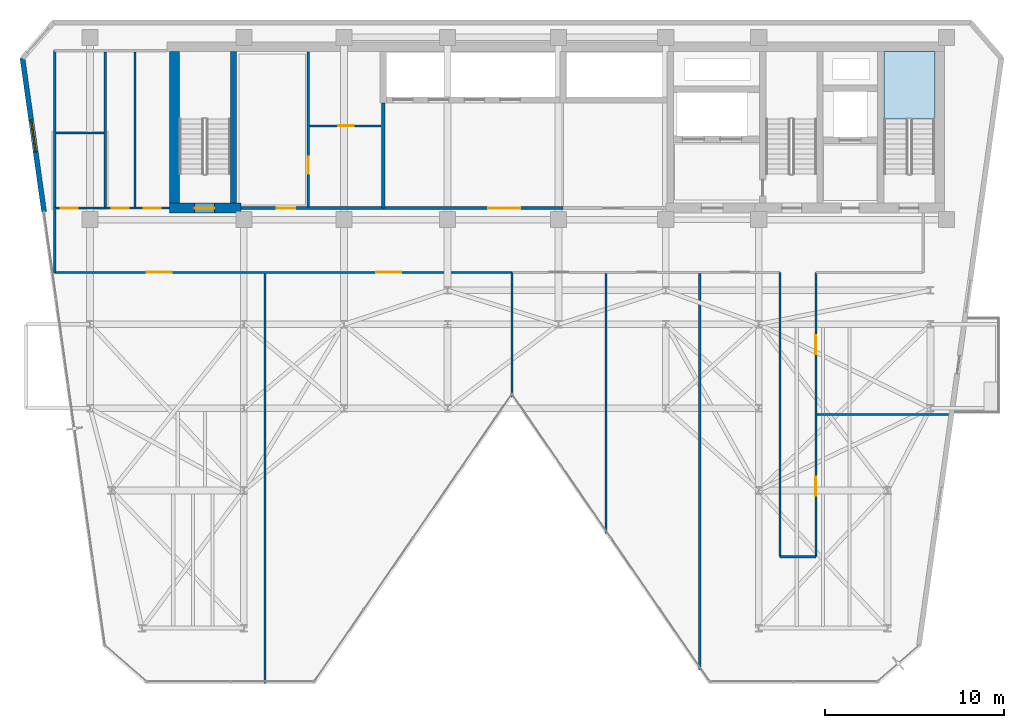
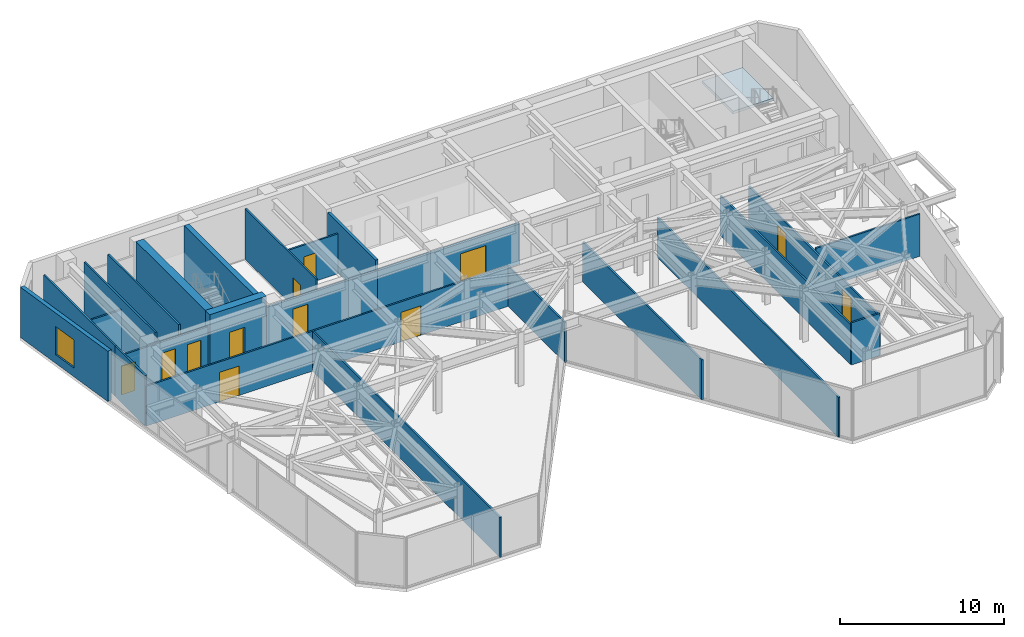
# One storey, part 22 of 27: 24 walls, 12 doors, 1 slab, 1 window, 13 openings, 1 element without a shape of its own.
"""IFC4 building model written with IfcOpenShell, lengths in metres."""

from ifc_helpers import new_model, si_unit, direction, frame, frame_2d, origin, place, context, subcontext, project, spatial, polyline, rectangle, outline, extrude, material, layer, layer_set, type_object, element, fill, aggregate, save


model = new_model("IFC4")

# Units and contexts
model_context = context("Model", 3, precision=1e-05, world=origin(), true_north=direction((0.0, 1.0)))
body_context = subcontext(model_context, "Body", "Model", "MODEL_VIEW")
ifc_project = project(units=[si_unit("LENGTHUNIT", "METRE"), si_unit("AREAUNIT", "SQUARE_METRE"), si_unit("VOLUMEUNIT", "CUBIC_METRE"), si_unit("PLANEANGLEUNIT", "RADIAN"), si_unit("MASSUNIT", "GRAM", prefix="KILO")], contexts=[model_context])

# Site, building, storey
site_placement = place(None, origin())
site = spatial("IfcSite", under=ifc_project, at=site_placement, CompositionType="ELEMENT")
building_placement = place(site_placement, origin())
building = spatial("IfcBuilding", under=site, at=building_placement, Name="Kravanh Interchange Tower", CompositionType="ELEMENT")
storey_placement = place(building_placement, frame((0.0, 0.0, 196.5)))
storey = spatial("IfcBuildingStorey", under=building, at=storey_placement, Name="L47", CompositionType="ELEMENT", Elevation=196.5)

# Stair, slab
ifc_material_1 = material(Name="Concrete C50/60", Category="concrete")
stair_type = type_object("IfcStairType", Name="Core Fire Exit Dogleg Stair Concrete C50/60", PredefinedType="HALF_TURN_STAIR", material=ifc_material_1)
stair_placement = place(storey_placement, origin())
stair = element("IfcStair", 1, at=stair_placement, inside=storey, type_object=stair_type, Name="L47 Exit Stair ST1", PredefinedType="HALF_TURN_STAIR")
ifc_material_2 = material(Name="Concrete C50/60", Category="concrete")
ifc_layer_1 = layer(ifc_material_2, 0.199951171875)
ifc_layer_set_1 = layer_set([ifc_layer_1], Name="Concrete C50/60 Stair Half-Landing Slab 200mm")
slab_type = type_object("IfcSlabType", Name="Concrete C50/60 Stair Half-Landing Slab 200mm", PredefinedType="LANDING", material=ifc_layer_set_1)
slab_placement = place(storey_placement, frame((0.0, 0.0, 1.800048828125)))
slab = element("IfcSlab", 2, at=slab_placement, type_object=slab_type, Name="ST1 landing 1", PredefinedType="LANDING", context=body_context, shape_type="SweptSolid", body=[
    extrude(outline(polyline([(65.85009765625, 42.97998046875), (65.85009765625, 46.75), (63.0, 46.75), (63.0, 42.97998046875), (65.85009765625, 42.97998046875)])), origin(), (0.0, 0.0, 1.0), 0.199951171875),
])
aggregate(stair, [slab])

# Wall, opening, door
ifc_material_3 = material(Name="Double Acoustic Gypsum Board and Mineral Wool")
ifc_layer_2 = layer(ifc_material_3, 0.1201171875)
ifc_layer_set_2 = layer_set([ifc_layer_2], Name="Acoustic Office Drywall Partition 120mm")
wall_type_1 = type_object("IfcWallType", Name="Acoustic Office Drywall Partition 120mm", PredefinedType="PARTITIONING", material=ifc_layer_set_2)
wall_1_placement = place(storey_placement, frame((30.800048828125, 38.068115234375, 0.0), z_axis=(0.0, 0.0, 1.0), x_axis=(0.0, 1.0, 0.0)))
wall_1 = element("IfcWall", 3, at=wall_1_placement, inside=storey, type_object=wall_type_1, Name="L47 Interior Partition 4", PredefinedType="PARTITIONING", context=body_context, shape_type="SweptSolid", body=[
    extrude(rectangle(XDim=8.673828125, YDim=0.1201171875, at=frame_2d((4.3369140625, 0.0))), origin(), (0.0, 0.0, 1.0), 3.7548828125),
])
opening_1_placement = place(wall_1_placement, frame((1.865234375, 0.0, 0.0)))
opening_1 = element("IfcOpeningElement", 4, at=opening_1_placement, cuts=wall_1, Name="Opening D-95", PredefinedType="OPENING", context=body_context, shape_type="SweptSolid", body=[
    extrude(rectangle(XDim=0.949951171875, YDim=2.14990234375, at=frame_2d((0.47509765625, 1.074951171875))), frame((0.0, 0.070068359375, 0.0), z_axis=(0.0, -1.0, 0.0), x_axis=(1.0, 0.0, 0.0)), (0.0, 0.0, 1.0), 0.14013671875),
])
ifc_material_4 = material(Name="Laminate Solid-Core Timber", Category="wood")
door_type_1 = type_object("IfcDoorType", Name="Accessible Restroom Door 950x2150", OperationType="NOTDEFINED", PredefinedType="DOOR", material=ifc_material_4)
door_1_placement = place(opening_1_placement, origin())
door_1 = element("IfcDoor", 5, at=door_1_placement, inside=storey, type_object=door_type_1, Name="L47 Copy Hub Inner Door", OperationType="SINGLE_SWING_RIGHT", OverallHeight=2.14990234375, OverallWidth=0.949951171875, PredefinedType="DOOR", context=body_context, shape_type="SweptSolid", body=[
    extrude(rectangle(XDim=0.949951171875, YDim=2.14990234375, at=frame_2d((0.47509765625, 1.074951171875))), frame((0.0, 0.02490234375, 0.0), z_axis=(0.0, -1.0, 0.0), x_axis=(1.0, 0.0, 0.0)), (0.0, 0.0, 1.0), 0.050048828125),
])
fill(opening_1, door_1)

wall_2_placement = place(storey_placement, frame((30.867919921875, 42.60009765625, 0.0), z_axis=(0.0, 0.0, 1.0), x_axis=(1.0, 0.0, 0.0)))
wall_2 = element("IfcWall", 6, at=wall_2_placement, inside=storey, type_object=wall_type_1, Name="L47 Interior Partition 5", PredefinedType="PARTITIONING", context=body_context, shape_type="SweptSolid", body=[
    extrude(rectangle(XDim=4.01416015625, YDim=0.1201171875, at=frame_2d((2.007080078125, 0.0))), origin(), (0.0, 0.0, 1.0), 2.98193359375),
])
opening_2_placement = place(wall_2_placement, frame((1.622314453125, 0.0, 0.0)))
opening_2 = element("IfcOpeningElement", 7, at=opening_2_placement, cuts=wall_2, Name="Opening D-85", PredefinedType="OPENING", context=body_context, shape_type="SweptSolid", body=[
    extrude(rectangle(XDim=0.85009765625, YDim=2.10009765625, at=frame_2d((0.425048828125, 1.050048828125))), frame((0.0, 0.070068359375, 0.0), z_axis=(0.0, -1.0, 0.0), x_axis=(1.0, 0.0, 0.0)), (0.0, 0.0, 1.0), 0.14013671875),
])
ifc_material_5 = material(Name="Engineered Teak Veneer Timber", Category="wood")
door_type_2 = type_object("IfcDoorType", Name="En-Suite Timber Door 850x2100", OperationType="NOTDEFINED", PredefinedType="DOOR", material=ifc_material_5)
door_2_placement = place(opening_2_placement, origin())
door_2 = element("IfcDoor", 8, at=door_2_placement, inside=storey, type_object=door_type_2, Name="L47 Records Store Inner Door", OperationType="SINGLE_SWING_LEFT", OverallHeight=2.10009765625, OverallWidth=0.85009765625, PredefinedType="DOOR", context=body_context, shape_type="SweptSolid", body=[
    extrude(rectangle(XDim=0.85009765625, YDim=2.10009765625, at=frame_2d((0.425048828125, 1.050048828125))), frame((0.0, 0.02490234375, 0.0), z_axis=(0.0, -1.0, 0.0), x_axis=(1.0, 0.0, 0.0)), (0.0, 0.0, 1.0), 0.050048828125),
])
fill(opening_2, door_2)

# Wall, openings, doors
wall_3_placement = place(storey_placement, frame((16.6201171875, 38.0, 0.0), z_axis=(0.0, 0.0, 1.0), x_axis=(1.0, 0.0, 0.0)))
wall_3 = element("IfcWall", 9, at=wall_3_placement, inside=storey, type_object=wall_type_1, Name="L47 Restroom Corridor Wall 7", PredefinedType="PARTITIONING", context=body_context, shape_type="SweptSolid", body=[
    extrude(rectangle(XDim=6.429931640625, YDim=0.1201171875, at=frame_2d((3.21484375, 0.0))), origin(), (0.0, 0.0, 1.0), 2.98193359375),
])
opening_3_placement = place(wall_3_placement, frame((0.348876953125, 0.0, 0.0)))
opening_3 = element("IfcOpeningElement", 10, at=opening_3_placement, cuts=wall_3, Name="Opening D-95", PredefinedType="OPENING", context=body_context, shape_type="SweptSolid", body=[
    extrude(rectangle(XDim=0.949951171875, YDim=2.14990234375, at=frame_2d((0.47509765625, 1.074951171875))), frame((0.0, 0.070068359375, 0.0), z_axis=(0.0, -1.0, 0.0), x_axis=(1.0, 0.0, 0.0)), (0.0, 0.0, 1.0), 0.14013671875),
])
opening_4_placement = place(wall_3_placement, frame((3.18505859375, 0.0, 0.0)))
opening_4 = element("IfcOpeningElement", 11, at=opening_4_placement, cuts=wall_3, Name="Opening D-95", PredefinedType="OPENING", context=body_context, shape_type="SweptSolid", body=[
    extrude(rectangle(XDim=0.949951171875, YDim=2.14990234375, at=frame_2d((0.47509765625, 1.074951171875))), frame((0.0, 0.070068359375, 0.0), z_axis=(0.0, -1.0, 0.0), x_axis=(1.0, 0.0, 0.0)), (0.0, 0.0, 1.0), 0.14013671875),
])
opening_5_placement = place(wall_3_placement, frame((4.97509765625, 0.0, 0.0)))
opening_5 = element("IfcOpeningElement", 12, at=opening_5_placement, cuts=wall_3, Name="Opening D-95", PredefinedType="OPENING", context=body_context, shape_type="SweptSolid", body=[
    extrude(rectangle(XDim=0.949951171875, YDim=2.14990234375, at=frame_2d((0.47509765625, 1.074951171875))), frame((0.0, 0.070068359375, 0.0), z_axis=(0.0, -1.0, 0.0), x_axis=(1.0, 0.0, 0.0)), (0.0, 0.0, 1.0), 0.14013671875),
])
door_3_placement = place(opening_3_placement, origin())
door_3 = element("IfcDoor", 13, at=door_3_placement, inside=storey, type_object=door_type_1, Name="L47 Accessible WC Door", OperationType="SINGLE_SWING_RIGHT", OverallHeight=2.14990234375, OverallWidth=0.949951171875, PredefinedType="DOOR", context=body_context, shape_type="SweptSolid", body=[
    extrude(rectangle(XDim=0.949951171875, YDim=2.14990234375, at=frame_2d((0.47509765625, 1.074951171875))), frame((0.0, 0.02490234375, 0.0), z_axis=(0.0, -1.0, 0.0), x_axis=(1.0, 0.0, 0.0)), (0.0, 0.0, 1.0), 0.050048828125),
])
fill(opening_3, door_3)
door_4_placement = place(opening_4_placement, origin())
door_4 = element("IfcDoor", 14, at=door_4_placement, inside=storey, type_object=door_type_1, Name="L47 Female WC Door", OperationType="SINGLE_SWING_LEFT", OverallHeight=2.14990234375, OverallWidth=0.949951171875, PredefinedType="DOOR", context=body_context, shape_type="SweptSolid", body=[
    extrude(rectangle(XDim=0.949951171875, YDim=2.14990234375, at=frame_2d((0.47509765625, 1.074951171875))), frame((0.0, 0.02490234375, 0.0), z_axis=(0.0, -1.0, 0.0), x_axis=(1.0, 0.0, 0.0)), (0.0, 0.0, 1.0), 0.050048828125),
])
fill(opening_4, door_4)
door_5_placement = place(opening_5_placement, origin())
door_5 = element("IfcDoor", 15, at=door_5_placement, inside=storey, type_object=door_type_1, Name="L47 Male WC Door", OperationType="SINGLE_SWING_RIGHT", OverallHeight=2.14990234375, OverallWidth=0.949951171875, PredefinedType="DOOR", context=body_context, shape_type="SweptSolid", body=[
    extrude(rectangle(XDim=0.949951171875, YDim=2.14990234375, at=frame_2d((0.47509765625, 1.074951171875))), frame((0.0, 0.02490234375, 0.0), z_axis=(0.0, -1.0, 0.0), x_axis=(1.0, 0.0, 0.0)), (0.0, 0.0, 1.0), 0.050048828125),
])
fill(opening_5, door_5)

# Walls
wall_4_placement = place(storey_placement, frame((16.6201171875, 38.0, 0.0), z_axis=(0.0, 0.0, 1.0), x_axis=(0.0, 1.0, 0.0)))
element("IfcWall", 16, at=wall_4_placement, inside=storey, type_object=wall_type_1, Name="L47 Restroom West Enclosure 8", PredefinedType="PARTITIONING", context=body_context, shape_type="SweptSolid", body=[
    extrude(rectangle(XDim=8.800048828125, YDim=0.1201171875, at=frame_2d((4.39990234375, 0.0))), origin(), (0.0, 0.0, 1.0), 3.7548828125),
])
for number, where, z_axis, x_axis, name in (
    (17, (19.449951171875, 38.068115234375, 0.0), (0.0, 0.0, 1.0), (0.0, 1.0, 0.0), "L47 Interior Partition 10"),
    (18, (21.110107421875, 38.068115234375, 0.0), (0.0, 0.0, 1.0), (0.0, 1.0, 0.0), "L47 Interior Partition 11"),
):
    element("IfcWall", number, at=place(storey_placement, frame(where, z_axis=z_axis, x_axis=x_axis)), inside=storey, type_object=wall_type_1, Name=name, PredefinedType="PARTITIONING", context=body_context, shape_type="SweptSolid", body=[
        extrude(rectangle(XDim=8.663818359375, YDim=0.1201171875, at=frame_2d((4.33203125, 0.0))), origin(), (0.0, 0.0, 1.0), 3.7548828125),
    ])
wall_5_placement = place(storey_placement, frame((16.68798828125, 42.199951171875, 0.0), z_axis=(0.0, 0.0, 1.0), x_axis=(1.0, 0.0, 0.0)))
element("IfcWall", 19, at=wall_5_placement, inside=storey, type_object=wall_type_1, Name="L47 Interior Partition 12", PredefinedType="PARTITIONING", context=body_context, shape_type="SweptSolid", body=[
    extrude(rectangle(XDim=2.694091796875, YDim=0.1201171875, at=frame_2d((1.34716796875, 0.0))), origin(), (0.0, 0.0, 1.0), 2.98193359375),
])

# Wall, openings, doors
wall_6_placement = place(storey_placement, frame((16.6201171875, 34.39990234375, 0.0), z_axis=(0.0, 0.0, 1.0), x_axis=(1.0, 0.0, 0.0)))
wall_6 = element("IfcWall", 20, at=wall_6_placement, inside=storey, type_object=wall_type_1, Name="L47 Interior Partition 13", PredefinedType="PARTITIONING", context=body_context, shape_type="SweptSolid", body=[
    extrude(rectangle(XDim=25.579833984375, YDim=0.1201171875, at=frame_2d((12.7900390625, 0.0))), origin(), (0.0, 0.0, 1.0), 2.98193359375),
])
opening_6_placement = place(wall_6_placement, frame((5.14501953125, 0.0, 0.0)))
opening_6 = element("IfcOpeningElement", 21, at=opening_6_placement, cuts=wall_6, Name="Opening DBL-140", PredefinedType="OPENING", context=body_context, shape_type="SweptSolid", body=[
    extrude(rectangle(XDim=1.39990234375, YDim=2.199951171875, at=frame_2d((0.699951171875, 1.10009765625))), frame((0.0, 0.070068359375, 0.0), z_axis=(0.0, -1.0, 0.0), x_axis=(1.0, 0.0, 0.0)), (0.0, 0.0, 1.0), 0.14013671875),
])
opening_7_placement = place(wall_6_placement, frame((17.97509765625, 0.0, 0.0)))
opening_7 = element("IfcOpeningElement", 22, at=opening_7_placement, cuts=wall_6, Name="Opening DBL-140", PredefinedType="OPENING", context=body_context, shape_type="SweptSolid", body=[
    extrude(rectangle(XDim=1.39990234375, YDim=2.199951171875, at=frame_2d((0.699951171875, 1.10009765625))), frame((0.0, 0.070068359375, 0.0), z_axis=(0.0, -1.0, 0.0), x_axis=(1.0, 0.0, 0.0)), (0.0, 0.0, 1.0), 0.14013671875),
])
ifc_material_6 = material(Name="Acoustic Bronze-Framed Glass", Category="glass")
door_type_3 = type_object("IfcDoorType", Name="Hospitality Lounge Double Door 1400x2200", OperationType="DOUBLE_DOOR_SINGLE_SWING", PredefinedType="DOOR", material=ifc_material_6)
door_6_placement = place(opening_6_placement, origin())
door_6 = element("IfcDoor", 23, at=door_6_placement, inside=storey, type_object=door_type_3, Name="L47 West Research Study 12A Door", OperationType="DOUBLE_DOOR_SINGLE_SWING", OverallHeight=2.199951171875, OverallWidth=1.39990234375, PredefinedType="DOOR", context=body_context, shape_type="SweptSolid", body=[
    extrude(rectangle(XDim=1.39990234375, YDim=2.199951171875, at=frame_2d((0.699951171875, 1.10009765625))), frame((0.0, 0.02490234375, 0.0), z_axis=(0.0, -1.0, 0.0), x_axis=(1.0, 0.0, 0.0)), (0.0, 0.0, 1.0), 0.050048828125),
])
fill(opening_6, door_6)
door_7_placement = place(opening_7_placement, origin())
door_7 = element("IfcDoor", 24, at=door_7_placement, inside=storey, type_object=door_type_3, Name="L47 West Library Study 12B Door", OperationType="DOUBLE_DOOR_SINGLE_SWING", OverallHeight=2.199951171875, OverallWidth=1.39990234375, PredefinedType="DOOR", context=body_context, shape_type="SweptSolid", body=[
    extrude(rectangle(XDim=1.39990234375, YDim=2.199951171875, at=frame_2d((0.699951171875, 1.10009765625))), frame((0.0, 0.02490234375, 0.0), z_axis=(0.0, -1.0, 0.0), x_axis=(1.0, 0.0, 0.0)), (0.0, 0.0, 1.0), 0.050048828125),
])
fill(opening_7, door_7)

# Walls
wall_7_placement = place(storey_placement, frame((16.6201171875, 34.39990234375, 0.0), z_axis=(0.0, 0.0, 1.0), x_axis=(0.0, 1.0, 0.0)))
element("IfcWall", 25, at=wall_7_placement, inside=storey, type_object=wall_type_1, Name="L47 Interior Partition 16", PredefinedType="PARTITIONING", context=body_context, shape_type="SweptSolid", body=[
    extrude(rectangle(XDim=3.650146484375, YDim=0.1201171875, at=frame_2d((1.8251953125, 0.0))), origin(), (0.0, 0.0, 1.0), 3.7548828125),
])
wall_8_placement = place(storey_placement, frame((57.199951171875, 18.5, 0.0), z_axis=(0.0, 0.0, 1.0), x_axis=(0.0, 1.0, 0.0)))
element("IfcWall", 26, at=wall_8_placement, inside=storey, type_object=wall_type_1, Name="L47 Interior Partition 18", PredefinedType="PARTITIONING", context=body_context, shape_type="SweptSolid", body=[
    extrude(rectangle(XDim=15.89990234375, YDim=0.1201171875, at=frame_2d((7.949951171875, 0.0))), origin(), (0.0, 0.0, 1.0), 2.98193359375),
])

# Wall, openings, doors
wall_9_placement = place(storey_placement, frame((59.199951171875, 18.5, 0.0), z_axis=(0.0, 0.0, 1.0), x_axis=(0.0, 1.0, 0.0)))
wall_9 = element("IfcWall", 27, at=wall_9_placement, inside=storey, type_object=wall_type_1, Name="L47 Interior Partition 19", PredefinedType="PARTITIONING", context=body_context, shape_type="SweptSolid", body=[
    extrude(rectangle(XDim=15.89990234375, YDim=0.1201171875, at=frame_2d((7.949951171875, 0.0))), origin(), (0.0, 0.0, 1.0), 2.98193359375),
])
opening_8_placement = place(wall_9_placement, frame((3.40966796875, 0.0, 0.0)))
opening_8 = element("IfcOpeningElement", 28, at=opening_8_placement, cuts=wall_9, Name="Opening D-105", PredefinedType="OPENING", context=body_context, shape_type="SweptSolid", body=[
    extrude(rectangle(XDim=1.050048828125, YDim=2.199951171875, at=frame_2d((0.52490234375, 1.10009765625))), frame((0.0, 0.070068359375, 0.0), z_axis=(0.0, -1.0, 0.0), x_axis=(1.0, 0.0, 0.0)), (0.0, 0.0, 1.0), 0.14013671875),
])
opening_9_placement = place(wall_9_placement, frame((11.3349609375, 0.0, 0.0)))
opening_9 = element("IfcOpeningElement", 29, at=opening_9_placement, cuts=wall_9, Name="Opening D-105", PredefinedType="OPENING", context=body_context, shape_type="SweptSolid", body=[
    extrude(rectangle(XDim=1.050048828125, YDim=2.199951171875, at=frame_2d((0.52490234375, 1.10009765625))), frame((0.0, 0.070068359375, 0.0), z_axis=(0.0, -1.0, 0.0), x_axis=(1.0, 0.0, 0.0)), (0.0, 0.0, 1.0), 0.14013671875),
])
ifc_material_7 = material(Name="Acoustic Glazed Oak and Aluminium", Category="aluminium")
door_type_4 = type_object("IfcDoorType", Name="Office Workplace Door 1050x2200", OperationType="NOTDEFINED", PredefinedType="DOOR", material=ifc_material_7)
door_8_placement = place(opening_8_placement, origin())
door_8 = element("IfcDoor", 30, at=door_8_placement, inside=storey, type_object=door_type_4, Name="L47 SE Balcony Lounge 12F Door", OperationType="SINGLE_SWING_LEFT", OverallHeight=2.199951171875, OverallWidth=1.050048828125, PredefinedType="DOOR", context=body_context, shape_type="SweptSolid", body=[
    extrude(rectangle(XDim=1.050048828125, YDim=2.199951171875, at=frame_2d((0.52490234375, 1.10009765625))), frame((0.0, 0.02490234375, 0.0), z_axis=(0.0, -1.0, 0.0), x_axis=(1.0, 0.0, 0.0)), (0.0, 0.0, 1.0), 0.050048828125),
])
fill(opening_8, door_8)
door_9_placement = place(opening_9_placement, origin())
door_9 = element("IfcDoor", 31, at=door_9_placement, inside=storey, type_object=door_type_4, Name="L47 East Tea Kitchenette Door", OperationType="SINGLE_SWING_RIGHT", OverallHeight=2.199951171875, OverallWidth=1.050048828125, PredefinedType="DOOR", context=body_context, shape_type="SweptSolid", body=[
    extrude(rectangle(XDim=1.050048828125, YDim=2.199951171875, at=frame_2d((0.52490234375, 1.10009765625))), frame((0.0, 0.02490234375, 0.0), z_axis=(0.0, -1.0, 0.0), x_axis=(1.0, 0.0, 0.0)), (0.0, 0.0, 1.0), 0.050048828125),
])
fill(opening_9, door_9)

# Walls
wall_10_placement = place(storey_placement, frame((57.199951171875, 18.5, 0.0), z_axis=(0.0, 0.0, 1.0), x_axis=(1.0, 0.0, 0.0)))
element("IfcWall", 32, at=wall_10_placement, inside=storey, type_object=wall_type_1, Name="L47 Interior Partition 20", PredefinedType="PARTITIONING", context=body_context, shape_type="SweptSolid", body=[
    extrude(rectangle(XDim=2.0, YDim=0.1201171875, at=frame_2d((1.0, 0.0))), origin(), (0.0, 0.0, 1.0), 3.14697265625),
])
wall_11_placement = place(storey_placement, frame((59.26806640625, 26.449951171875, 0.0), z_axis=(0.0, 0.0, 1.0), x_axis=(1.0, 0.0, 0.0)))
element("IfcWall", 33, at=wall_11_placement, inside=storey, type_object=wall_type_1, Name="L47 Interior Partition 21", PredefinedType="PARTITIONING", context=body_context, shape_type="SweptSolid", body=[
    extrude(rectangle(XDim=7.34521484375, YDim=0.1201171875, at=frame_2d((3.672607421875, 0.0))), origin(), (0.0, 0.0, 1.0), 3.14697265625),
])
wall_12_placement = place(storey_placement, frame((42.199951171875, 27.426513671875, 0.0), z_axis=(0.0, 0.0, 1.0), x_axis=(0.0, 1.0, 0.0)))
element("IfcWall", 34, at=wall_12_placement, inside=storey, type_object=wall_type_1, Name="L47 Interior Partition 22", PredefinedType="PARTITIONING", context=body_context, shape_type="SweptSolid", body=[
    extrude(rectangle(XDim=6.973388671875, YDim=0.1201171875, at=frame_2d((3.48681640625, 0.0))), origin(), (0.0, 0.0, 1.0), 2.98193359375),
])
wall_13_placement = place(storey_placement, frame((28.389892578125, 11.4150390625, 0.0), z_axis=(0.0, 0.0, 1.0), x_axis=(0.0, 1.0, 0.0)))
element("IfcWall", 35, at=wall_13_placement, inside=storey, type_object=wall_type_1, Name="L47 Interior Partition 23", PredefinedType="PARTITIONING", context=body_context, shape_type="SweptSolid", body=[
    extrude(rectangle(XDim=22.9169921875, YDim=0.1201171875, at=frame_2d((11.45849609375, 0.0))), origin(), (0.0, 0.0, 1.0), 2.98193359375),
])
wall_14_placement = place(storey_placement, frame((47.449951171875, 19.7900390625, 0.0), z_axis=(0.0, 0.0, 1.0), x_axis=(0.0, 1.0, 0.0)))
element("IfcWall", 36, at=wall_14_placement, inside=storey, type_object=wall_type_1, Name="L47 Interior Partition 24", PredefinedType="PARTITIONING", context=body_context, shape_type="SweptSolid", body=[
    extrude(rectangle(XDim=14.5419921875, YDim=0.1201171875, at=frame_2d((7.27099609375, 0.0))), origin(), (0.0, 0.0, 1.0), 2.98193359375),
])
wall_15_placement = place(storey_placement, frame((52.699951171875, 12.15380859375, 0.0), z_axis=(0.0, 0.0, 1.0), x_axis=(0.0, 1.0, 0.0)))
element("IfcWall", 37, at=wall_15_placement, inside=storey, type_object=wall_type_1, Name="L47 Interior Partition 25", PredefinedType="PARTITIONING", context=body_context, shape_type="SweptSolid", body=[
    extrude(rectangle(XDim=22.17822265625, YDim=0.1201171875, at=frame_2d((11.089111328125, 0.0))), origin(), (0.0, 0.0, 1.0), 2.98193359375),
])
ifc_material_8 = material(Name="Concrete C60/75", Category="concrete")
ifc_layer_3 = layer(ifc_material_8, 0.35009765625)
ifc_layer_set_3 = layer_set([ifc_layer_3], Name="Core Shear Wall Concrete C60/75 350mm")
wall_type_2 = type_object("IfcWallType", Name="Core Shear Wall Concrete C60/75 350mm", PredefinedType="SHEAR", material=ifc_layer_set_3)
wall_16_placement = place(storey_placement, frame((26.625, 38.27490234375, 0.0), z_axis=(0.0, 0.0, 1.0), x_axis=(0.0, 1.0, 0.0)))
element("IfcWall", 38, at=wall_16_placement, inside=storey, type_object=wall_type_2, Name="L47 Stair ST3 East Shear Wall", PredefinedType="SHEAR", context=body_context, shape_type="SweptSolid", body=[
    extrude(rectangle(XDim=8.47509765625, YDim=0.35009765625, at=frame_2d((4.237548828125, 0.0))), origin(), (0.0, 0.0, 1.0), 4.0),
])

# Wall, opening, door
ifc_material_9 = material(Name="Concrete C70/85", Category="concrete")
ifc_layer_4 = layer(ifc_material_9, 0.550048828125)
ifc_layer_set_4 = layer_set([ifc_layer_4], Name="Core Shear Wall Concrete C70/85 550mm")
wall_type_3 = type_object("IfcWallType", Name="Core Shear Wall Concrete C70/85 550mm", PredefinedType="SHEAR", material=ifc_layer_set_4)
wall_17_placement = place(storey_placement, frame((23.050048828125, 38.0, 0.0), z_axis=(0.0, 0.0, 1.0), x_axis=(1.0, 0.0, 0.0)))
wall_17 = element("IfcWall", 39, at=wall_17_placement, inside=storey, type_object=wall_type_3, Name="L47 Stair ST3 South Shear Wall", PredefinedType="SHEAR", context=body_context, shape_type="SweptSolid", body=[
    extrude(rectangle(XDim=4.0, YDim=0.550048828125, at=frame_2d((2.0, 0.0))), origin(), (0.0, 0.0, 1.0), 4.0),
])
opening_10_placement = place(wall_17_placement, frame((1.39990234375, 0.0, 0.0)))
opening_10 = element("IfcOpeningElement", 40, at=opening_10_placement, cuts=wall_17, Name="Opening D-STAIR-110", PredefinedType="OPENING", context=body_context, shape_type="SweptSolid", body=[
    extrude(rectangle(XDim=1.10009765625, YDim=2.199951171875, at=frame_2d((0.550048828125, 1.10009765625))), frame((0.0, 0.28515625, 0.0), z_axis=(0.0, -1.0, 0.0), x_axis=(1.0, 0.0, 0.0)), (0.0, 0.0, 1.0), 0.570068359375),
])
ifc_material_10 = material(Name="Structural Steel S355", Category="steel")
door_type_5 = type_object("IfcDoorType", Name="Fire-Rated Exit Stair Door 1100x2200", OperationType="NOTDEFINED", PredefinedType="DOOR", material=ifc_material_10)
door_10_placement = place(opening_10_placement, origin())
door_10 = element("IfcDoor", 41, at=door_10_placement, inside=storey, type_object=door_type_5, Name="L47 Exit Stair ST3 Door", OperationType="SINGLE_SWING_RIGHT", OverallHeight=2.199951171875, OverallWidth=1.10009765625, PredefinedType="DOOR", context=body_context, shape_type="SweptSolid", body=[
    extrude(rectangle(XDim=1.10009765625, YDim=2.199951171875, at=frame_2d((0.550048828125, 1.10009765625))), frame((0.0, 0.02490234375, 0.0), z_axis=(0.0, -1.0, 0.0), x_axis=(1.0, 0.0, 0.0)), (0.0, 0.0, 1.0), 0.050048828125),
])
fill(opening_10, door_10)

# Wall
wall_18_placement = place(storey_placement, frame((23.324951171875, 38.27490234375, 0.0), z_axis=(0.0, 0.0, 1.0), x_axis=(0.0, 1.0, 0.0)))
element("IfcWall", 42, at=wall_18_placement, inside=storey, type_object=wall_type_3, Name="L47 Stair ST3 West Shear Wall", PredefinedType="SHEAR", context=body_context, shape_type="SweptSolid", body=[
    extrude(rectangle(XDim=8.47509765625, YDim=0.550048828125, at=frame_2d((4.237548828125, 0.0))), origin(), (0.0, 0.0, 1.0), 4.0),
])

# Wall, opening, window
ifc_material_11 = material(Name="Insulated Precast Concrete C40/50 with Bronze Cladding", Category="concrete")
ifc_layer_5 = layer(ifc_material_11, 0.280029296875)
ifc_layer_set_5 = layer_set([ifc_layer_5], Name="Exterior Insulated Concrete C40/50 Bronze Spandrel Wall 280mm")
wall_type_4 = type_object("IfcWallType", Name="Exterior Insulated Concrete C40/50 Bronze Spandrel Wall 280mm", PredefinedType="STANDARD", material=ifc_layer_set_5)
wall_19_placement = place(storey_placement, frame((16.02490234375, 37.800048828125, 0.0), z_axis=(0.0, 0.0, 1.0), x_axis=(-0.13918102754, 0.990266954701, 0.0)))
wall_19 = element("IfcWall", 43, at=wall_19_placement, inside=storey, type_object=wall_type_4, Name="L47 Exterior Wall 1", PredefinedType="STANDARD", context=body_context, shape_type="SweptSolid", body=[
    extrude(rectangle(XDim=8.667236328125, YDim=0.280029296875, at=frame_2d((4.33349609375, 0.0))), origin(), (0.0, 0.0, 1.0), 3.7548828125),
])
opening_11_placement = place(wall_19_placement, frame((3.37353515625, 0.0, 0.64990234375)))
opening_11 = element("IfcOpeningElement", 44, at=opening_11_placement, cuts=wall_19, Name="Opening WN-180X210", PredefinedType="OPENING", context=body_context, shape_type="SweptSolid", body=[
    extrude(rectangle(XDim=1.800048828125, YDim=2.10009765625, at=frame_2d((0.89990234375, 1.050048828125))), frame((0.0, 0.14990234375, 0.0), z_axis=(0.0, -1.0, 0.0), x_axis=(1.0, 0.0, 0.0)), (0.0, 0.0, 1.0), 0.300048828125),
])
ifc_material_12 = material(Name="Thermally Broken Bronze Aluminium and Low-E Glass", Category="aluminium")
window_type = type_object("IfcWindowType", Name="Tower Pier Window 1800x2100", PartitioningType="SINGLE_PANEL", PredefinedType="WINDOW", material=ifc_material_12)
window_placement = place(opening_11_placement, origin())
window = element("IfcWindow", 45, at=window_placement, inside=storey, type_object=window_type, Name="L47 Corner Window 1", OverallHeight=2.10009765625, OverallWidth=1.800048828125, PartitioningType="SINGLE_PANEL", PredefinedType="WINDOW", context=body_context, shape_type="SweptSolid", body=[
    extrude(rectangle(XDim=1.800048828125, YDim=2.10009765625, at=frame_2d((0.89990234375, 1.050048828125))), frame((0.0, 0.030029296875, 0.0), z_axis=(0.0, -1.0, 0.0), x_axis=(1.0, 0.0, 0.0)), (0.0, 0.0, 1.0), 0.06005859375),
])
fill(opening_11, window)

# Wall
ifc_material_13 = material(Name="Autoclaved Aerated Concrete C30/37 Blockwork", Category="masonry")
ifc_layer_6 = layer(ifc_material_13, 0.179931640625)
ifc_layer_set_6 = layer_set([ifc_layer_6], Name="Fire-Rated Lobby and Corridor Wall Concrete C30/37 180mm")
wall_type_5 = type_object("IfcWallType", Name="Fire-Rated Lobby and Corridor Wall Concrete C30/37 180mm", PredefinedType="STANDARD", material=ifc_layer_set_6)
wall_20_placement = place(storey_placement, frame((35.0, 38.0, 0.0), z_axis=(0.0, 0.0, 1.0), x_axis=(0.0, 1.0, 0.0)))
element("IfcWall", 46, at=wall_20_placement, inside=storey, type_object=wall_type_5, Name="L47 Interior Partition 3", PredefinedType="STANDARD", context=body_context, shape_type="SweptSolid", body=[
    extrude(rectangle(XDim=5.875, YDim=0.179931640625, at=frame_2d((2.9375, 0.0))), origin(), (0.0, 0.0, 1.0), 3.7548828125),
])

# Wall, opening, door
wall_21_placement = place(storey_placement, frame((35.0, 38.0, 0.0), z_axis=(0.0, 0.0, 1.0), x_axis=(1.0, 0.0, 0.0)))
wall_21 = element("IfcWall", 47, at=wall_21_placement, inside=storey, type_object=wall_type_5, Name="L47 Interior Partition 6", PredefinedType="STANDARD", context=body_context, shape_type="SweptSolid", body=[
    extrude(rectangle(XDim=10.050048828125, YDim=0.179931640625, at=frame_2d((5.02490234375, 0.0))), origin(), (0.0, 0.0, 1.0), 2.98193359375),
])
opening_12_placement = place(wall_21_placement, frame((5.85791015625, 0.0, 0.0)))
opening_12 = element("IfcOpeningElement", 48, at=opening_12_placement, cuts=wall_21, Name="Opening DBL-180", PredefinedType="OPENING", context=body_context, shape_type="SweptSolid", body=[
    extrude(rectangle(XDim=1.800048828125, YDim=2.199951171875, at=frame_2d((0.89990234375, 1.10009765625))), frame((0.0, 0.10009765625, 0.0), z_axis=(0.0, -1.0, 0.0), x_axis=(1.0, 0.0, 0.0)), (0.0, 0.0, 1.0), 0.199951171875),
])
ifc_material_14 = material(Name="Structural Steel S355", Category="steel")
door_type_6 = type_object("IfcDoorType", Name="Lift Lobby Double Fire Door 1800x2200", OperationType="DOUBLE_DOOR_SINGLE_SWING", PredefinedType="DOOR", material=ifc_material_14)
door_11_placement = place(opening_12_placement, origin())
door_11 = element("IfcDoor", 49, at=door_11_placement, inside=storey, type_object=door_type_6, Name="L47 Mid-Rise Lift Lobby Door", OperationType="DOUBLE_DOOR_SINGLE_SWING", OverallHeight=2.199951171875, OverallWidth=1.800048828125, PredefinedType="DOOR", context=body_context, shape_type="SweptSolid", body=[
    extrude(rectangle(XDim=1.800048828125, YDim=2.199951171875, at=frame_2d((0.89990234375, 1.10009765625))), frame((0.0, 0.02490234375, 0.0), z_axis=(0.0, -1.0, 0.0), x_axis=(1.0, 0.0, 0.0)), (0.0, 0.0, 1.0), 0.050048828125),
])
fill(opening_12, door_11)

ifc_material_15 = material(Name="Twin Stud Acoustic Gypsum Board Wall")
ifc_layer_7 = layer(ifc_material_15, 0.14990234375)
ifc_layer_set_7 = layer_set([ifc_layer_7], Name="Medium-Duty Acoustic Partition 150mm")
wall_type_6 = type_object("IfcWallType", Name="Medium-Duty Acoustic Partition 150mm", PredefinedType="PARTITIONING", material=ifc_layer_set_7)
wall_22_placement = place(storey_placement, frame((27.050048828125, 38.0, 0.0), z_axis=(0.0, 0.0, 1.0), x_axis=(1.0, 0.0, 0.0)))
wall_22 = element("IfcWall", 50, at=wall_22_placement, inside=storey, type_object=wall_type_6, Name="L47 Interior Partition 2", PredefinedType="PARTITIONING", context=body_context, shape_type="SweptSolid", body=[
    extrude(rectangle(XDim=7.949951171875, YDim=0.14990234375, at=frame_2d((3.97509765625, 0.0))), origin(), (0.0, 0.0, 1.0), 2.98193359375),
])
opening_13_placement = place(wall_22_placement, frame((1.984619140625, 0.0, 0.0)))
opening_13 = element("IfcOpeningElement", 51, at=opening_13_placement, cuts=wall_22, Name="Opening D-105", PredefinedType="OPENING", context=body_context, shape_type="SweptSolid", body=[
    extrude(rectangle(XDim=1.050048828125, YDim=2.199951171875, at=frame_2d((0.52490234375, 1.10009765625))), frame((0.0, 0.0849609375, 0.0), z_axis=(0.0, -1.0, 0.0), x_axis=(1.0, 0.0, 0.0)), (0.0, 0.0, 1.0), 0.169921875),
])
door_12_placement = place(opening_13_placement, origin())
door_12 = element("IfcDoor", 52, at=door_12_placement, inside=storey, type_object=door_type_4, Name="L47 Staff Coffee Room Door", OperationType="SINGLE_SWING_LEFT", OverallHeight=2.199951171875, OverallWidth=1.050048828125, PredefinedType="DOOR", context=body_context, shape_type="SweptSolid", body=[
    extrude(rectangle(XDim=1.050048828125, YDim=2.199951171875, at=frame_2d((0.52490234375, 1.10009765625))), frame((0.0, 0.02490234375, 0.0), z_axis=(0.0, -1.0, 0.0), x_axis=(1.0, 0.0, 0.0)), (0.0, 0.0, 1.0), 0.050048828125),
])
fill(opening_13, door_12)

save(model, "model.ifc")
